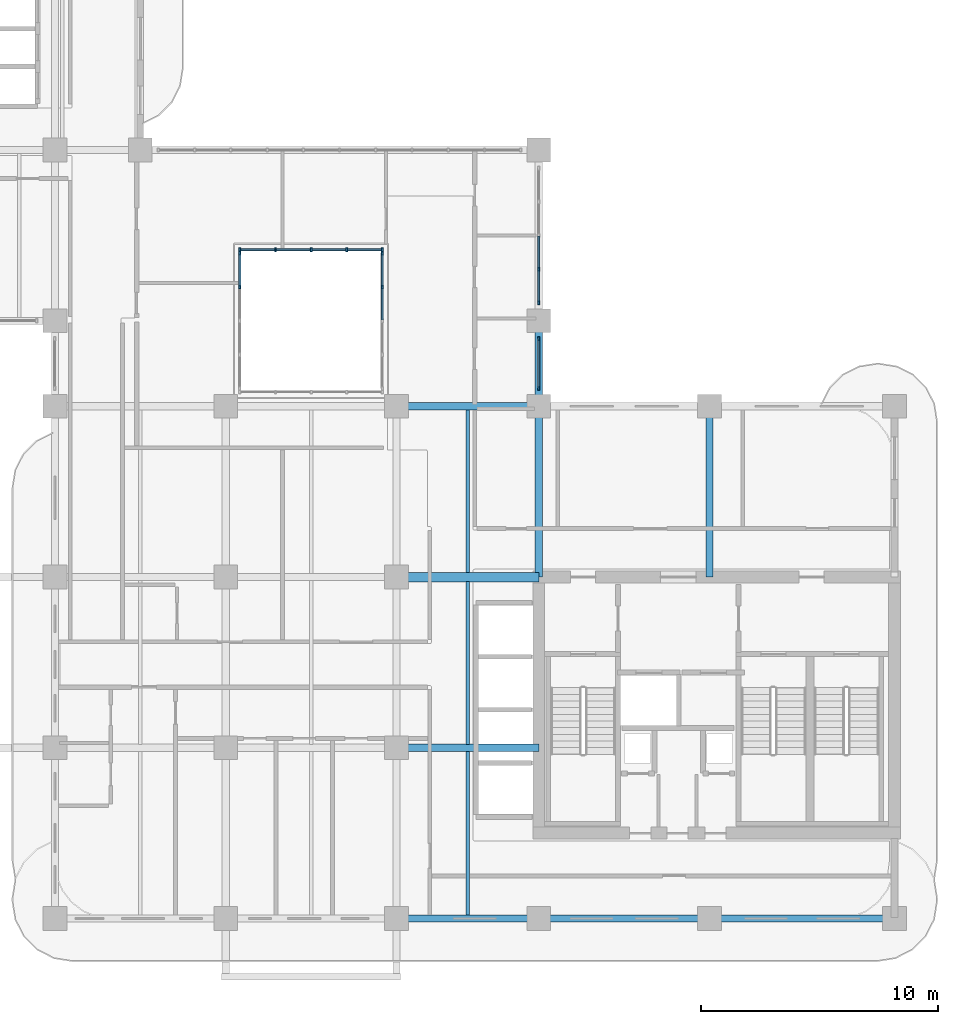
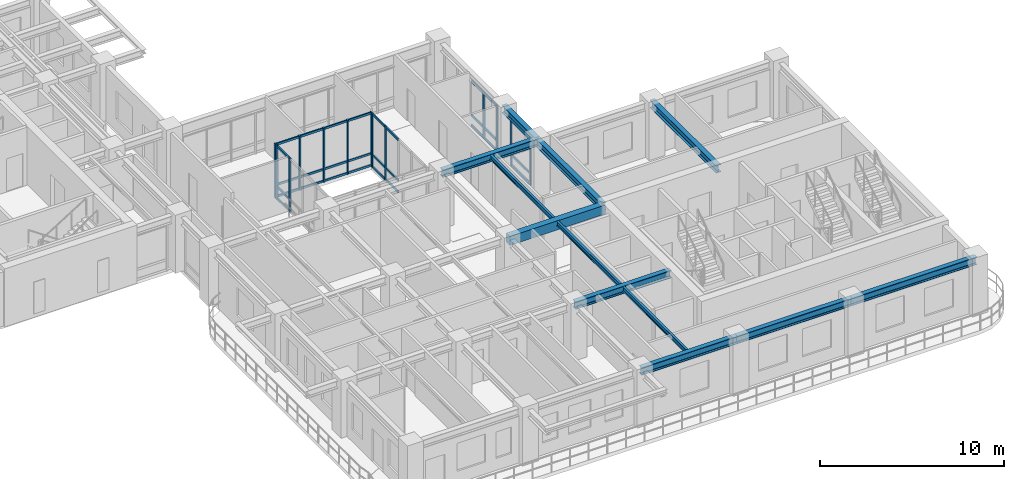
# One storey, part 3 of 20: 43 members, 12 beams, 5 elements without a shape of their own.
"""IFC4 building model written with IfcOpenShell, lengths in metres."""

from ifc_helpers import new_model, si_unit, derived_unit, direction, frame, origin, origin_2d, place, context, subcontext, project, spatial, rectangle, i_section, extrude, source, transform, mapped, material, layer, layer_set, material_profile, profile_set, type_object, type_shapes, element, aggregate, save


model = new_model("IFC4")

# Units and contexts
model_context = context("Model", 3, precision=1e-05, world=origin(), true_north=direction((0.0, 1.0)))
body_context = subcontext(model_context, "Body", "Model", "MODEL_VIEW")
ifc_project = project(units=[si_unit("LENGTHUNIT", "METRE"), si_unit("AREAUNIT", "SQUARE_METRE"), si_unit("VOLUMEUNIT", "CUBIC_METRE"), si_unit("PLANEANGLEUNIT", "RADIAN"), si_unit("MASSUNIT", "GRAM", prefix="KILO"), si_unit("THERMODYNAMICTEMPERATUREUNIT", "KELVIN"), si_unit("POWERUNIT", "WATT"), derived_unit("THERMALTRANSMITTANCEUNIT", [(si_unit("POWERUNIT", "WATT"), 1), (si_unit("AREAUNIT", "SQUARE_METRE"), -1), (si_unit("THERMODYNAMICTEMPERATUREUNIT", "KELVIN"), -1)])], contexts=[model_context])

# Site, building, storey
site_placement = place(None, origin())
site = spatial("IfcSite", under=ifc_project, at=site_placement, CompositionType="ELEMENT")
building_placement = place(site_placement, origin())
building = spatial("IfcBuilding", under=site, at=building_placement, Name="Zahravan Archway Hotel and Residences", CompositionType="ELEMENT")
storey_placement = place(building_placement, frame((0.0, 0.0, 173.39990234375)))
storey = spatial("IfcBuildingStorey", under=building, at=storey_placement, Name="L43", CompositionType="ELEMENT", Elevation=173.39990234375)

# Beams
ifc_material_1 = material(Name="Concrete C60/75", Category="concrete")
ifc_material_profile_1 = material_profile(ifc_material_1, rectangle(XDim=0.39990234375, YDim=0.60009765625, at=origin_2d()), Name="RC-LNT-400x600", Category="concrete")
ifc_profile_set_1 = profile_set([ifc_material_profile_1], Name="Concrete C60/75")
beam_type_1 = type_object("IfcBeamType", Name="LNT-RC-400x600", PredefinedType="LINTEL", material=ifc_profile_set_1)
shared_shape_1 = source(origin(), body_context, "Body", "SweptSolid", [
    extrude(rectangle(XDim=0.39990234375, YDim=0.60009765625, at=origin_2d()), origin(), (0.0, 0.0, 1.0), 6.0),
])
type_shapes(beam_type_1, [shared_shape_1])
beam_1_placement = place(storey_placement, frame((28.800048828125, 14.39990234375, 3.300048828125), z_axis=(1.0, 0.0, 0.0), x_axis=(0.0, 1.0, 0.0)))
element("IfcBeam", 1, at=beam_1_placement, inside=storey, type_object=beam_type_1, Name="L43 Core A Coupling Lintel Beam", PredefinedType="LINTEL", context=body_context, shape_type="MappedRepresentation", body=[
    mapped(shared_shape_1, transform((0.0, 0.0, 0.0), scale=1.0)),
])
ifc_material_2 = material(Name="Structural Steel S355JR", Category="steel")
ifc_material_profile_2 = material_profile(ifc_material_2, i_section(OverallWidth=0.300048828125, OverallDepth=0.5, WebThickness=0.014404296875, FlangeThickness=0.028076171875, FilletRadius=0.027099609375, at=origin_2d()), Name="HEB 500", Category="steel")
ifc_profile_set_2 = profile_set([ifc_material_profile_2], Name="Structural Steel S355JR")
beam_type_2 = type_object("IfcBeamType", Name="BM-PRI-HEB500", PredefinedType="BEAM", material=ifc_profile_set_2)
shared_shape_2 = source(origin(), body_context, "Body", "SweptSolid", [
    extrude(i_section(OverallWidth=0.300048828125, OverallDepth=0.5, WebThickness=0.014404296875, FlangeThickness=0.028076171875, FilletRadius=0.027099609375, at=origin_2d()), origin(), (0.0, 0.0, 1.0), 7.2001953125),
])
type_shapes(beam_type_2, [shared_shape_2])
for number, where, z_axis, x_axis, name in (
    (2, (34.800048828125, 14.39990234375, 3.35009765625), (0.0, 1.0, 0.0), (-1.0, 0.0, 0.0), "L43 Primary Girder NS-41"),
    (3, (42.0, 14.39990234375, 3.35009765625), (0.0, 1.0, 0.0), (-1.0, 0.0, 0.0), "L43 Primary Girder NS-44"),
):
    element("IfcBeam", number, at=place(storey_placement, frame(where, z_axis=z_axis, x_axis=x_axis)), inside=storey, type_object=beam_type_2, Name=name, PredefinedType="BEAM", context=body_context, shape_type="MappedRepresentation", body=[
        mapped(shared_shape_2, transform((0.0, 0.0, 0.0), scale=1.0)),
    ])
shared_shape_3 = source(origin(), body_context, "Body", "SweptSolid", [
    extrude(i_section(OverallWidth=0.300048828125, OverallDepth=0.5, WebThickness=0.014404296875, FlangeThickness=0.028076171875, FilletRadius=0.027099609375, at=origin_2d()), origin(), (0.0, 0.0, 1.0), 7.199951171875),
])
beam_2_placement = place(storey_placement, frame((34.800048828125, 0.0, 3.35009765625), z_axis=(1.0, 0.0, 0.0), x_axis=(0.0, 1.0, 0.0)))
element("IfcBeam", 4, at=beam_2_placement, inside=storey, type_object=beam_type_2, Name="L43 Primary Girder EW-04", PredefinedType="BEAM", context=body_context, shape_type="MappedRepresentation", body=[
    mapped(shared_shape_3, transform((0.0, 0.0, 0.0), scale=1.0)),
])
shared_shape_4 = source(origin(), body_context, "Body", "SweptSolid", [
    extrude(i_section(OverallWidth=0.300048828125, OverallDepth=0.5, WebThickness=0.014404296875, FlangeThickness=0.028076171875, FilletRadius=0.027099609375, at=origin_2d()), origin(), (0.0, 0.0, 1.0), 6.0),
])
for number, where, z_axis, x_axis, name in (
    (5, (28.800048828125, 0.0, 3.35009765625), (1.0, 0.0, 0.0), (0.0, 1.0, 0.0), "L43 Primary Girder EW-03"),
    (6, (28.800048828125, 7.199951171875, 3.35009765625), (1.0, 0.0, 0.0), (0.0, 1.0, 0.0), "L43 Primary Girder EW-08"),
    (7, (28.800048828125, 21.60009765625, 3.35009765625), (1.0, 0.0, 0.0), (0.0, 1.0, 0.0), "L43 Primary Girder EW-13"),
):
    element("IfcBeam", number, at=place(storey_placement, frame(where, z_axis=z_axis, x_axis=x_axis)), inside=storey, type_object=beam_type_2, Name=name, PredefinedType="BEAM", context=body_context, shape_type="MappedRepresentation", body=[
        mapped(shared_shape_4, transform((0.0, 0.0, 0.0), scale=1.0)),
    ])
shared_shape_5 = source(origin(), body_context, "Body", "SweptSolid", [
    extrude(i_section(OverallWidth=0.300048828125, OverallDepth=0.5, WebThickness=0.014404296875, FlangeThickness=0.028076171875, FilletRadius=0.027099609375, at=origin_2d()), origin(), (0.0, 0.0, 1.0), 7.800048828125),
])
beam_3_placement = place(storey_placement, frame((42.0, 0.0, 3.35009765625), z_axis=(1.0, 0.0, 0.0), x_axis=(0.0, 1.0, 0.0)))
element("IfcBeam", 8, at=beam_3_placement, inside=storey, type_object=beam_type_2, Name="L43 Primary Girder EW-05", PredefinedType="BEAM", context=body_context, shape_type="MappedRepresentation", body=[
    mapped(shared_shape_5, transform((0.0, 0.0, 0.0), scale=1.0)),
])
shared_shape_6 = source(origin(), body_context, "Body", "SweptSolid", [
    extrude(i_section(OverallWidth=0.300048828125, OverallDepth=0.5, WebThickness=0.014404296875, FlangeThickness=0.028076171875, FilletRadius=0.027099609375, at=origin_2d()), origin(), (0.0, 0.0, 1.0), 3.599853515625),
])
beam_4_placement = place(storey_placement, frame((34.800048828125, 21.60009765625, 3.35009765625), z_axis=(0.0, 1.0, 0.0), x_axis=(-1.0, 0.0, 0.0)))
element("IfcBeam", 9, at=beam_4_placement, inside=storey, type_object=beam_type_2, Name="L43 Primary Girder NS-42", PredefinedType="BEAM", context=body_context, shape_type="MappedRepresentation", body=[
    mapped(shared_shape_6, transform((0.0, 0.0, 0.0), scale=1.0)),
])
ifc_material_profile_3 = material_profile(ifc_material_2, i_section(OverallWidth=0.14990234375, OverallDepth=0.300048828125, WebThickness=0.007080078125, FlangeThickness=0.0107421875, FilletRadius=0.014892578125, at=origin_2d()), Name="IPE 300", Category="steel")
ifc_profile_set_3 = profile_set([ifc_material_profile_3], Name="Structural Steel S355JR")
beam_type_3 = type_object("IfcBeamType", Name="BM-JST-IPE300", PredefinedType="JOIST", material=ifc_profile_set_3)
shared_shape_7 = source(origin(), body_context, "Body", "SweptSolid", [
    extrude(i_section(OverallWidth=0.14990234375, OverallDepth=0.300048828125, WebThickness=0.007080078125, FlangeThickness=0.0107421875, FilletRadius=0.014892578125, at=origin_2d()), origin(), (0.0, 0.0, 1.0), 6.904052734375),
])
type_shapes(beam_type_3, [shared_shape_7])
beam_5_placement = place(storey_placement, frame((31.800048828125, 0.14794921875, 3.4501953125), z_axis=(0.0, 1.0, 0.0), x_axis=(-1.0, 0.0, 0.0)))
element("IfcBeam", 10, at=beam_5_placement, inside=storey, type_object=beam_type_3, Name="L43 Composite Floor Joist 03", PredefinedType="JOIST", context=body_context, shape_type="MappedRepresentation", body=[
    mapped(shared_shape_7, transform((0.0, 0.0, 0.0), scale=1.0)),
])
shared_shape_8 = source(origin(), body_context, "Body", "SweptSolid", [
    extrude(i_section(OverallWidth=0.14990234375, OverallDepth=0.300048828125, WebThickness=0.007080078125, FlangeThickness=0.0107421875, FilletRadius=0.014892578125, at=origin_2d()), origin(), (0.0, 0.0, 1.0), 6.85400390625),
])
for number, where, z_axis, x_axis, name in (
    (11, (31.800048828125, 7.347900390625, 3.4501953125), (0.0, 1.0, 0.0), (-1.0, 0.0, 0.0), "L43 Composite Floor Joist 06"),
    (12, (31.800048828125, 14.597900390625, 3.4501953125), (0.0, 1.0, 0.0), (-1.0, 0.0, 0.0), "L43 Composite Floor Joist 07"),
):
    element("IfcBeam", number, at=place(storey_placement, frame(where, z_axis=z_axis, x_axis=x_axis)), inside=storey, type_object=beam_type_3, Name=name, PredefinedType="JOIST", context=body_context, shape_type="MappedRepresentation", body=[
        mapped(shared_shape_8, transform((0.0, 0.0, 0.0), scale=1.0)),
    ])

# Curtain wall, members
ifc_material_3 = material(Name="Bronze-Anodized Unitised Aluminium & Low-E Glass", Category="aluminium")
ifc_layer = layer(ifc_material_3, 0.179931640625, Name="Bronze-Anodized Unitised Aluminium & Low-E Glass", Category="aluminium")
ifc_layer_set = layer_set([ifc_layer], Name="Bronze-Anodized Unitised Aluminium & Low-E Glass")
curtain_wall_type = type_object("IfcCurtainWallType", Name="CW-ATR-GLAZ", PredefinedType="NOTDEFINED", material=ifc_layer_set)
curtain_wall_1_placement = place(storey_placement, origin())
curtain_wall_1 = element("IfcCurtainWall", 13, at=curtain_wall_1_placement, inside=storey, type_object=curtain_wall_type, Name="L43 Curtain Wall CW-L43-HNG-E-2", PredefinedType="NOTDEFINED")
ifc_material_4 = material(Name="Bronze-Anodized Extruded Aluminium", Category="aluminium")
ifc_material_profile_4 = material_profile(ifc_material_4, rectangle(XDim=0.080078125, YDim=0.139892578125, at=origin_2d()), Name="TRN 80x140", Category="aluminium")
ifc_profile_set_4 = profile_set([ifc_material_profile_4], Name="Bronze-Anodized Extruded Aluminium")
member_type_1 = type_object("IfcMemberType", Name="CWM-TRN-140", PredefinedType="USERDEFINED", material=ifc_profile_set_4)
shared_shape_9 = source(origin(), body_context, "Body", "SweptSolid", [
    extrude(rectangle(XDim=0.080078125, YDim=0.139892578125, at=origin_2d()), origin(), (0.0, 0.0, 1.0), 1.340087890625),
])
member_1_placement = place(storey_placement, frame((34.800048828125, 26.0, 0.070068359375), z_axis=(0.0, 1.0, 0.0), x_axis=(-1.0, 0.0, 0.0)))
member_1 = element("IfcMember", 14, at=member_1_placement, type_object=member_type_1, Name="CW-L43-HNG-E-2 Transom 0-1", ObjectType="TRANSOM", PredefinedType="USERDEFINED", context=body_context, shape_type="MappedRepresentation", body=[
    mapped(shared_shape_9, transform((0.0, 0.0, 0.0), scale=1.0)),
])
member_2_placement = place(storey_placement, frame((34.800048828125, 26.0, 0.740478515625), z_axis=(0.0, 1.0, 0.0), x_axis=(-1.0, 0.0, 0.0)))
member_2 = element("IfcMember", 15, at=member_2_placement, type_object=member_type_1, Name="CW-L43-HNG-E-2 Transom 0-2", ObjectType="TRANSOM", PredefinedType="USERDEFINED", context=body_context, shape_type="MappedRepresentation", body=[
    mapped(shared_shape_9, transform((0.0, 0.0, 0.0), scale=1.0)),
])
member_3_placement = place(storey_placement, frame((34.800048828125, 26.0, 3.01513671875), z_axis=(0.0, 1.0, 0.0), x_axis=(-1.0, 0.0, 0.0)))
member_3 = element("IfcMember", 16, at=member_3_placement, type_object=member_type_1, Name="CW-L43-HNG-E-2 Transom 0-3", ObjectType="TRANSOM", PredefinedType="USERDEFINED", context=body_context, shape_type="MappedRepresentation", body=[
    mapped(shared_shape_9, transform((0.0, 0.0, 0.0), scale=1.0)),
])
member_4_placement = place(storey_placement, frame((34.800048828125, 27.419921875, 0.070068359375), z_axis=(0.0, 1.0, 0.0), x_axis=(-1.0, 0.0, 0.0)))
member_4 = element("IfcMember", 17, at=member_4_placement, type_object=member_type_1, Name="CW-L43-HNG-E-2 Transom 1-1", ObjectType="TRANSOM", PredefinedType="USERDEFINED", context=body_context, shape_type="MappedRepresentation", body=[
    mapped(shared_shape_9, transform((0.0, 0.0, 0.0), scale=1.0)),
])
member_5_placement = place(storey_placement, frame((34.800048828125, 27.419921875, 0.740478515625), z_axis=(0.0, 1.0, 0.0), x_axis=(-1.0, 0.0, 0.0)))
member_5 = element("IfcMember", 18, at=member_5_placement, type_object=member_type_1, Name="CW-L43-HNG-E-2 Transom 1-2", ObjectType="TRANSOM", PredefinedType="USERDEFINED", context=body_context, shape_type="MappedRepresentation", body=[
    mapped(shared_shape_9, transform((0.0, 0.0, 0.0), scale=1.0)),
])
member_6_placement = place(storey_placement, frame((34.800048828125, 27.419921875, 3.01513671875), z_axis=(0.0, 1.0, 0.0), x_axis=(-1.0, 0.0, 0.0)))
member_6 = element("IfcMember", 19, at=member_6_placement, type_object=member_type_1, Name="CW-L43-HNG-E-2 Transom 1-3", ObjectType="TRANSOM", PredefinedType="USERDEFINED", context=body_context, shape_type="MappedRepresentation", body=[
    mapped(shared_shape_9, transform((0.0, 0.0, 0.0), scale=1.0)),
])

curtain_wall_2_placement = place(storey_placement, origin())
curtain_wall_2 = element("IfcCurtainWall", 20, at=curtain_wall_2_placement, inside=storey, type_object=curtain_wall_type, Name="L43 Curtain Wall CW-L43-HNG-E-1", PredefinedType="NOTDEFINED")
shared_shape_10 = source(origin(), body_context, "Body", "SweptSolid", [
    extrude(rectangle(XDim=0.080078125, YDim=0.139892578125, at=origin_2d()), origin(), (0.0, 0.0, 1.0), 2.0),
])
member_7_placement = place(storey_placement, frame((34.800048828125, 22.39990234375, 0.070068359375), z_axis=(0.0, 1.0, 0.0), x_axis=(-1.0, 0.0, 0.0)))
member_7 = element("IfcMember", 21, at=member_7_placement, type_object=member_type_1, Name="CW-L43-HNG-E-1 Transom 0-1", ObjectType="TRANSOM", PredefinedType="USERDEFINED", context=body_context, shape_type="MappedRepresentation", body=[
    mapped(shared_shape_10, transform((0.0, 0.0, 0.0), scale=1.0)),
])
member_8_placement = place(storey_placement, frame((34.800048828125, 22.39990234375, 0.740478515625), z_axis=(0.0, 1.0, 0.0), x_axis=(-1.0, 0.0, 0.0)))
member_8 = element("IfcMember", 22, at=member_8_placement, type_object=member_type_1, Name="CW-L43-HNG-E-1 Transom 0-2", ObjectType="TRANSOM", PredefinedType="USERDEFINED", context=body_context, shape_type="MappedRepresentation", body=[
    mapped(shared_shape_10, transform((0.0, 0.0, 0.0), scale=1.0)),
])
member_9_placement = place(storey_placement, frame((34.800048828125, 22.39990234375, 3.01513671875), z_axis=(0.0, 1.0, 0.0), x_axis=(-1.0, 0.0, 0.0)))
member_9 = element("IfcMember", 23, at=member_9_placement, type_object=member_type_1, Name="CW-L43-HNG-E-1 Transom 0-3", ObjectType="TRANSOM", PredefinedType="USERDEFINED", context=body_context, shape_type="MappedRepresentation", body=[
    mapped(shared_shape_10, transform((0.0, 0.0, 0.0), scale=1.0)),
])

curtain_wall_3_placement = place(storey_placement, origin())
curtain_wall_3 = element("IfcCurtainWall", 24, at=curtain_wall_3_placement, inside=storey, type_object=curtain_wall_type, Name="L43 Curtain Wall CW-ATR-L43-N-1", PredefinedType="NOTDEFINED")
shared_shape_11 = source(origin(), body_context, "Body", "SweptSolid", [
    extrude(rectangle(XDim=0.080078125, YDim=0.139892578125, at=origin_2d()), origin(), (0.0, 0.0, 1.0), 1.419921875),
])
member_10_placement = place(storey_placement, frame((22.239990234375, 28.199951171875, 0.070068359375), z_axis=(1.0, 0.0, 0.0), x_axis=(0.0, 1.0, 0.0)))
member_10 = element("IfcMember", 25, at=member_10_placement, type_object=member_type_1, Name="CW-ATR-L43-N-1 Transom 0-1", ObjectType="TRANSOM", PredefinedType="USERDEFINED", context=body_context, shape_type="MappedRepresentation", body=[
    mapped(shared_shape_11, transform((0.0, 0.0, 0.0), scale=1.0)),
])
member_11_placement = place(storey_placement, frame((22.239990234375, 28.199951171875, 0.85009765625), z_axis=(1.0, 0.0, 0.0), x_axis=(0.0, 1.0, 0.0)))
member_11 = element("IfcMember", 26, at=member_11_placement, type_object=member_type_1, Name="CW-ATR-L43-N-1 Transom 0-2", ObjectType="TRANSOM", PredefinedType="USERDEFINED", context=body_context, shape_type="MappedRepresentation", body=[
    mapped(shared_shape_11, transform((0.0, 0.0, 0.0), scale=1.0)),
])
member_12_placement = place(storey_placement, frame((22.239990234375, 28.199951171875, 3.530029296875), z_axis=(1.0, 0.0, 0.0), x_axis=(0.0, 1.0, 0.0)))
member_12 = element("IfcMember", 27, at=member_12_placement, type_object=member_type_1, Name="CW-ATR-L43-N-1 Transom 0-3", ObjectType="TRANSOM", PredefinedType="USERDEFINED", context=body_context, shape_type="MappedRepresentation", body=[
    mapped(shared_shape_11, transform((0.0, 0.0, 0.0), scale=1.0)),
])
member_13_placement = place(storey_placement, frame((23.739990234375, 28.199951171875, 0.070068359375), z_axis=(1.0, 0.0, 0.0), x_axis=(0.0, 1.0, 0.0)))
member_13 = element("IfcMember", 28, at=member_13_placement, type_object=member_type_1, Name="CW-ATR-L43-N-1 Transom 1-1", ObjectType="TRANSOM", PredefinedType="USERDEFINED", context=body_context, shape_type="MappedRepresentation", body=[
    mapped(shared_shape_11, transform((0.0, 0.0, 0.0), scale=1.0)),
])
member_14_placement = place(storey_placement, frame((23.739990234375, 28.199951171875, 0.85009765625), z_axis=(1.0, 0.0, 0.0), x_axis=(0.0, 1.0, 0.0)))
member_14 = element("IfcMember", 29, at=member_14_placement, type_object=member_type_1, Name="CW-ATR-L43-N-1 Transom 1-2", ObjectType="TRANSOM", PredefinedType="USERDEFINED", context=body_context, shape_type="MappedRepresentation", body=[
    mapped(shared_shape_11, transform((0.0, 0.0, 0.0), scale=1.0)),
])
member_15_placement = place(storey_placement, frame((23.739990234375, 28.199951171875, 3.530029296875), z_axis=(1.0, 0.0, 0.0), x_axis=(0.0, 1.0, 0.0)))
member_15 = element("IfcMember", 30, at=member_15_placement, type_object=member_type_1, Name="CW-ATR-L43-N-1 Transom 1-3", ObjectType="TRANSOM", PredefinedType="USERDEFINED", context=body_context, shape_type="MappedRepresentation", body=[
    mapped(shared_shape_11, transform((0.0, 0.0, 0.0), scale=1.0)),
])
member_16_placement = place(storey_placement, frame((25.239990234375, 28.199951171875, 0.070068359375), z_axis=(1.0, 0.0, 0.0), x_axis=(0.0, 1.0, 0.0)))
member_16 = element("IfcMember", 31, at=member_16_placement, type_object=member_type_1, Name="CW-ATR-L43-N-1 Transom 2-1", ObjectType="TRANSOM", PredefinedType="USERDEFINED", context=body_context, shape_type="MappedRepresentation", body=[
    mapped(shared_shape_11, transform((0.0, 0.0, 0.0), scale=1.0)),
])
member_17_placement = place(storey_placement, frame((25.239990234375, 28.199951171875, 0.85009765625), z_axis=(1.0, 0.0, 0.0), x_axis=(0.0, 1.0, 0.0)))
member_17 = element("IfcMember", 32, at=member_17_placement, type_object=member_type_1, Name="CW-ATR-L43-N-1 Transom 2-2", ObjectType="TRANSOM", PredefinedType="USERDEFINED", context=body_context, shape_type="MappedRepresentation", body=[
    mapped(shared_shape_11, transform((0.0, 0.0, 0.0), scale=1.0)),
])
member_18_placement = place(storey_placement, frame((25.239990234375, 28.199951171875, 3.530029296875), z_axis=(1.0, 0.0, 0.0), x_axis=(0.0, 1.0, 0.0)))
member_18 = element("IfcMember", 33, at=member_18_placement, type_object=member_type_1, Name="CW-ATR-L43-N-1 Transom 2-3", ObjectType="TRANSOM", PredefinedType="USERDEFINED", context=body_context, shape_type="MappedRepresentation", body=[
    mapped(shared_shape_11, transform((0.0, 0.0, 0.0), scale=1.0)),
])
member_19_placement = place(storey_placement, frame((26.739990234375, 28.199951171875, 0.070068359375), z_axis=(1.0, 0.0, 0.0), x_axis=(0.0, 1.0, 0.0)))
member_19 = element("IfcMember", 34, at=member_19_placement, type_object=member_type_1, Name="CW-ATR-L43-N-1 Transom 3-1", ObjectType="TRANSOM", PredefinedType="USERDEFINED", context=body_context, shape_type="MappedRepresentation", body=[
    mapped(shared_shape_11, transform((0.0, 0.0, 0.0), scale=1.0)),
])
member_20_placement = place(storey_placement, frame((26.739990234375, 28.199951171875, 0.85009765625), z_axis=(1.0, 0.0, 0.0), x_axis=(0.0, 1.0, 0.0)))
member_20 = element("IfcMember", 35, at=member_20_placement, type_object=member_type_1, Name="CW-ATR-L43-N-1 Transom 3-2", ObjectType="TRANSOM", PredefinedType="USERDEFINED", context=body_context, shape_type="MappedRepresentation", body=[
    mapped(shared_shape_11, transform((0.0, 0.0, 0.0), scale=1.0)),
])
member_21_placement = place(storey_placement, frame((26.739990234375, 28.199951171875, 3.530029296875), z_axis=(1.0, 0.0, 0.0), x_axis=(0.0, 1.0, 0.0)))
member_21 = element("IfcMember", 36, at=member_21_placement, type_object=member_type_1, Name="CW-ATR-L43-N-1 Transom 3-3", ObjectType="TRANSOM", PredefinedType="USERDEFINED", context=body_context, shape_type="MappedRepresentation", body=[
    mapped(shared_shape_11, transform((0.0, 0.0, 0.0), scale=1.0)),
])

curtain_wall_4_placement = place(storey_placement, origin())
curtain_wall_4 = element("IfcCurtainWall", 37, at=curtain_wall_4_placement, inside=storey, type_object=curtain_wall_type, Name="L43 Curtain Wall CW-ATR-L43-W-1", PredefinedType="NOTDEFINED")
shared_shape_12 = source(origin(), body_context, "Body", "SweptSolid", [
    extrude(rectangle(XDim=0.080078125, YDim=0.139892578125, at=origin_2d()), origin(), (0.0, 0.0, 1.0), 1.344970703125),
])
member_22_placement = place(storey_placement, frame((22.199951171875, 26.6650390625, 0.070068359375), z_axis=(0.0, 1.0, 0.0), x_axis=(-1.0, 0.0, 0.0)))
member_22 = element("IfcMember", 38, at=member_22_placement, type_object=member_type_1, Name="CW-ATR-L43-W-1 Transom 3-1", ObjectType="TRANSOM", PredefinedType="USERDEFINED", context=body_context, shape_type="MappedRepresentation", body=[
    mapped(shared_shape_12, transform((0.0, 0.0, 0.0), scale=1.0)),
])
member_23_placement = place(storey_placement, frame((22.199951171875, 26.6650390625, 0.85009765625), z_axis=(0.0, 1.0, 0.0), x_axis=(-1.0, 0.0, 0.0)))
member_23 = element("IfcMember", 39, at=member_23_placement, type_object=member_type_1, Name="CW-ATR-L43-W-1 Transom 3-2", ObjectType="TRANSOM", PredefinedType="USERDEFINED", context=body_context, shape_type="MappedRepresentation", body=[
    mapped(shared_shape_12, transform((0.0, 0.0, 0.0), scale=1.0)),
])
member_24_placement = place(storey_placement, frame((22.199951171875, 26.6650390625, 3.530029296875), z_axis=(0.0, 1.0, 0.0), x_axis=(-1.0, 0.0, 0.0)))
member_24 = element("IfcMember", 40, at=member_24_placement, type_object=member_type_1, Name="CW-ATR-L43-W-1 Transom 3-3", ObjectType="TRANSOM", PredefinedType="USERDEFINED", context=body_context, shape_type="MappedRepresentation", body=[
    mapped(shared_shape_12, transform((0.0, 0.0, 0.0), scale=1.0)),
])

curtain_wall_5_placement = place(storey_placement, origin())
curtain_wall_5 = element("IfcCurtainWall", 41, at=curtain_wall_5_placement, inside=storey, type_object=curtain_wall_type, Name="L43 Curtain Wall CW-ATR-L43-E-1", PredefinedType="NOTDEFINED")
member_25_placement = place(storey_placement, frame((28.199951171875, 25.239990234375, 0.070068359375), z_axis=(0.0, 1.0, 0.0), x_axis=(-1.0, 0.0, 0.0)))
member_25 = element("IfcMember", 42, at=member_25_placement, type_object=member_type_1, Name="CW-ATR-L43-E-1 Transom 2-1", ObjectType="TRANSOM", PredefinedType="USERDEFINED", context=body_context, shape_type="MappedRepresentation", body=[
    mapped(shared_shape_12, transform((0.0, 0.0, 0.0), scale=1.0)),
])
member_26_placement = place(storey_placement, frame((28.199951171875, 25.239990234375, 0.85009765625), z_axis=(0.0, 1.0, 0.0), x_axis=(-1.0, 0.0, 0.0)))
member_26 = element("IfcMember", 43, at=member_26_placement, type_object=member_type_1, Name="CW-ATR-L43-E-1 Transom 2-2", ObjectType="TRANSOM", PredefinedType="USERDEFINED", context=body_context, shape_type="MappedRepresentation", body=[
    mapped(shared_shape_12, transform((0.0, 0.0, 0.0), scale=1.0)),
])
member_27_placement = place(storey_placement, frame((28.199951171875, 25.239990234375, 3.530029296875), z_axis=(0.0, 1.0, 0.0), x_axis=(-1.0, 0.0, 0.0)))
member_27 = element("IfcMember", 44, at=member_27_placement, type_object=member_type_1, Name="CW-ATR-L43-E-1 Transom 2-3", ObjectType="TRANSOM", PredefinedType="USERDEFINED", context=body_context, shape_type="MappedRepresentation", body=[
    mapped(shared_shape_12, transform((0.0, 0.0, 0.0), scale=1.0)),
])
member_28_placement = place(storey_placement, frame((28.199951171875, 26.6650390625, 0.070068359375), z_axis=(0.0, 1.0, 0.0), x_axis=(-1.0, 0.0, 0.0)))
member_28 = element("IfcMember", 45, at=member_28_placement, type_object=member_type_1, Name="CW-ATR-L43-E-1 Transom 3-1", ObjectType="TRANSOM", PredefinedType="USERDEFINED", context=body_context, shape_type="MappedRepresentation", body=[
    mapped(shared_shape_12, transform((0.0, 0.0, 0.0), scale=1.0)),
])
member_29_placement = place(storey_placement, frame((28.199951171875, 26.6650390625, 0.85009765625), z_axis=(0.0, 1.0, 0.0), x_axis=(-1.0, 0.0, 0.0)))
member_29 = element("IfcMember", 46, at=member_29_placement, type_object=member_type_1, Name="CW-ATR-L43-E-1 Transom 3-2", ObjectType="TRANSOM", PredefinedType="USERDEFINED", context=body_context, shape_type="MappedRepresentation", body=[
    mapped(shared_shape_12, transform((0.0, 0.0, 0.0), scale=1.0)),
])
member_30_placement = place(storey_placement, frame((28.199951171875, 26.6650390625, 3.530029296875), z_axis=(0.0, 1.0, 0.0), x_axis=(-1.0, 0.0, 0.0)))
member_30 = element("IfcMember", 47, at=member_30_placement, type_object=member_type_1, Name="CW-ATR-L43-E-1 Transom 3-3", ObjectType="TRANSOM", PredefinedType="USERDEFINED", context=body_context, shape_type="MappedRepresentation", body=[
    mapped(shared_shape_12, transform((0.0, 0.0, 0.0), scale=1.0)),
])

# Member
ifc_material_profile_5 = material_profile(ifc_material_4, rectangle(XDim=0.080078125, YDim=0.159912109375, at=origin_2d()), Name="MUL 80x160", Category="aluminium")
ifc_profile_set_5 = profile_set([ifc_material_profile_5], Name="Bronze-Anodized Extruded Aluminium")
member_type_2 = type_object("IfcMemberType", Name="CWM-MUL-160", PredefinedType="MULLION", material=ifc_profile_set_5)
shared_shape_13 = source(origin(), body_context, "Body", "SweptSolid", [
    extrude(rectangle(XDim=0.080078125, YDim=0.159912109375, at=origin_2d()), origin(), (0.0, 0.0, 1.0), 3.085205078125),
])
member_31_placement = place(storey_placement, frame((34.800048828125, 22.360107421875, 0.0), z_axis=(0.0, 0.0, 1.0), x_axis=(1.0, 0.0, 0.0)))
member_31 = element("IfcMember", 48, at=member_31_placement, type_object=member_type_2, Name="CW-L43-HNG-E-1 Mullion 0", PredefinedType="MULLION", context=body_context, shape_type="MappedRepresentation", body=[
    mapped(shared_shape_13, transform((0.0, 0.0, 0.0), scale=1.0)),
])

member_32_placement = place(storey_placement, frame((34.800048828125, 24.43994140625, 0.0), z_axis=(0.0, 0.0, 1.0), x_axis=(1.0, 0.0, 0.0)))
member_32 = element("IfcMember", 49, at=member_32_placement, type_object=member_type_2, Name="CW-L43-HNG-E-1 Mullion 1", PredefinedType="MULLION", context=body_context, shape_type="MappedRepresentation", body=[
    mapped(shared_shape_13, transform((0.0, 0.0, 0.0), scale=1.0)),
])

aggregate(curtain_wall_2, [member_31, member_32, member_7, member_8, member_9])

member_33_placement = place(storey_placement, frame((34.800048828125, 25.9599609375, 0.0), z_axis=(0.0, 0.0, 1.0), x_axis=(1.0, 0.0, 0.0)))
member_33 = element("IfcMember", 50, at=member_33_placement, type_object=member_type_2, Name="CW-L43-HNG-E-2 Mullion 0", PredefinedType="MULLION", context=body_context, shape_type="MappedRepresentation", body=[
    mapped(shared_shape_13, transform((0.0, 0.0, 0.0), scale=1.0)),
])

member_34_placement = place(storey_placement, frame((34.800048828125, 27.3798828125, 0.0), z_axis=(0.0, 0.0, 1.0), x_axis=(1.0, 0.0, 0.0)))
member_34 = element("IfcMember", 51, at=member_34_placement, type_object=member_type_2, Name="CW-L43-HNG-E-2 Mullion 1", PredefinedType="MULLION", context=body_context, shape_type="MappedRepresentation", body=[
    mapped(shared_shape_13, transform((0.0, 0.0, 0.0), scale=1.0)),
])

aggregate(curtain_wall_1, [member_33, member_34, member_1, member_2, member_3, member_4, member_5, member_6])

shared_shape_14 = source(origin(), body_context, "Body", "SweptSolid", [
    extrude(rectangle(XDim=0.080078125, YDim=0.159912109375, at=origin_2d()), origin(), (0.0, 0.0, 1.0), 3.60009765625),
])
member_35_placement = place(storey_placement, frame((22.199951171875, 28.199951171875, 0.0), z_axis=(0.0, 0.0, 1.0), x_axis=(1.0, 0.0, 0.0)))
member_35 = element("IfcMember", 52, at=member_35_placement, type_object=member_type_2, Name="CW-ATR-L43-N-1 Mullion 0", PredefinedType="MULLION", context=body_context, shape_type="MappedRepresentation", body=[
    mapped(shared_shape_14, transform((0.0, 0.0, 0.0), scale=1.0)),
])

member_36_placement = place(storey_placement, frame((23.699951171875, 28.199951171875, 0.0), z_axis=(0.0, 0.0, 1.0), x_axis=(1.0, 0.0, 0.0)))
member_36 = element("IfcMember", 53, at=member_36_placement, type_object=member_type_2, Name="CW-ATR-L43-N-1 Mullion 1", PredefinedType="MULLION", context=body_context, shape_type="MappedRepresentation", body=[
    mapped(shared_shape_14, transform((0.0, 0.0, 0.0), scale=1.0)),
])

member_37_placement = place(storey_placement, frame((25.199951171875, 28.199951171875, 0.0), z_axis=(0.0, 0.0, 1.0), x_axis=(1.0, 0.0, 0.0)))
member_37 = element("IfcMember", 54, at=member_37_placement, type_object=member_type_2, Name="CW-ATR-L43-N-1 Mullion 2", PredefinedType="MULLION", context=body_context, shape_type="MappedRepresentation", body=[
    mapped(shared_shape_14, transform((0.0, 0.0, 0.0), scale=1.0)),
])

member_38_placement = place(storey_placement, frame((26.699951171875, 28.199951171875, 0.0), z_axis=(0.0, 0.0, 1.0), x_axis=(1.0, 0.0, 0.0)))
member_38 = element("IfcMember", 55, at=member_38_placement, type_object=member_type_2, Name="CW-ATR-L43-N-1 Mullion 3", PredefinedType="MULLION", context=body_context, shape_type="MappedRepresentation", body=[
    mapped(shared_shape_14, transform((0.0, 0.0, 0.0), scale=1.0)),
])

member_39_placement = place(storey_placement, frame((28.199951171875, 28.199951171875, 0.0), z_axis=(0.0, 0.0, 1.0), x_axis=(1.0, 0.0, 0.0)))
member_39 = element("IfcMember", 56, at=member_39_placement, type_object=member_type_2, Name="CW-ATR-L43-N-1 Mullion 4", PredefinedType="MULLION", context=body_context, shape_type="MappedRepresentation", body=[
    mapped(shared_shape_14, transform((0.0, 0.0, 0.0), scale=1.0)),
])

aggregate(curtain_wall_3, [member_35, member_36, member_37, member_38, member_39, member_10, member_11, member_12, member_13, member_14, member_15, member_16, member_17, member_18, member_19, member_20, member_21])

member_40_placement = place(storey_placement, frame((22.199951171875, 26.625, 0.0), z_axis=(0.0, 0.0, 1.0), x_axis=(1.0, 0.0, 0.0)))
member_40 = element("IfcMember", 57, at=member_40_placement, type_object=member_type_2, Name="CW-ATR-L43-W-1 Mullion 3", PredefinedType="MULLION", context=body_context, shape_type="MappedRepresentation", body=[
    mapped(shared_shape_14, transform((0.0, 0.0, 0.0), scale=1.0)),
])

member_41_placement = place(storey_placement, frame((22.199951171875, 28.050048828125, 0.0), z_axis=(0.0, 0.0, 1.0), x_axis=(1.0, 0.0, 0.0)))
member_41 = element("IfcMember", 58, at=member_41_placement, type_object=member_type_2, Name="CW-ATR-L43-W-1 Mullion 4", PredefinedType="MULLION", context=body_context, shape_type="MappedRepresentation", body=[
    mapped(shared_shape_14, transform((0.0, 0.0, 0.0), scale=1.0)),
])

aggregate(curtain_wall_4, [member_40, member_41, member_22, member_23, member_24])

member_42_placement = place(storey_placement, frame((28.199951171875, 26.625, 0.0), z_axis=(0.0, 0.0, 1.0), x_axis=(1.0, 0.0, 0.0)))
member_42 = element("IfcMember", 59, at=member_42_placement, type_object=member_type_2, Name="CW-ATR-L43-E-1 Mullion 3", PredefinedType="MULLION", context=body_context, shape_type="MappedRepresentation", body=[
    mapped(shared_shape_14, transform((0.0, 0.0, 0.0), scale=1.0)),
])

member_43_placement = place(storey_placement, frame((28.199951171875, 28.050048828125, 0.0), z_axis=(0.0, 0.0, 1.0), x_axis=(1.0, 0.0, 0.0)))
member_43 = element("IfcMember", 60, at=member_43_placement, type_object=member_type_2, Name="CW-ATR-L43-E-1 Mullion 4", PredefinedType="MULLION", context=body_context, shape_type="MappedRepresentation", body=[
    mapped(shared_shape_14, transform((0.0, 0.0, 0.0), scale=1.0)),
])

aggregate(curtain_wall_5, [member_42, member_43, member_25, member_26, member_27, member_28, member_29, member_30])

save(model, "model.ifc")
